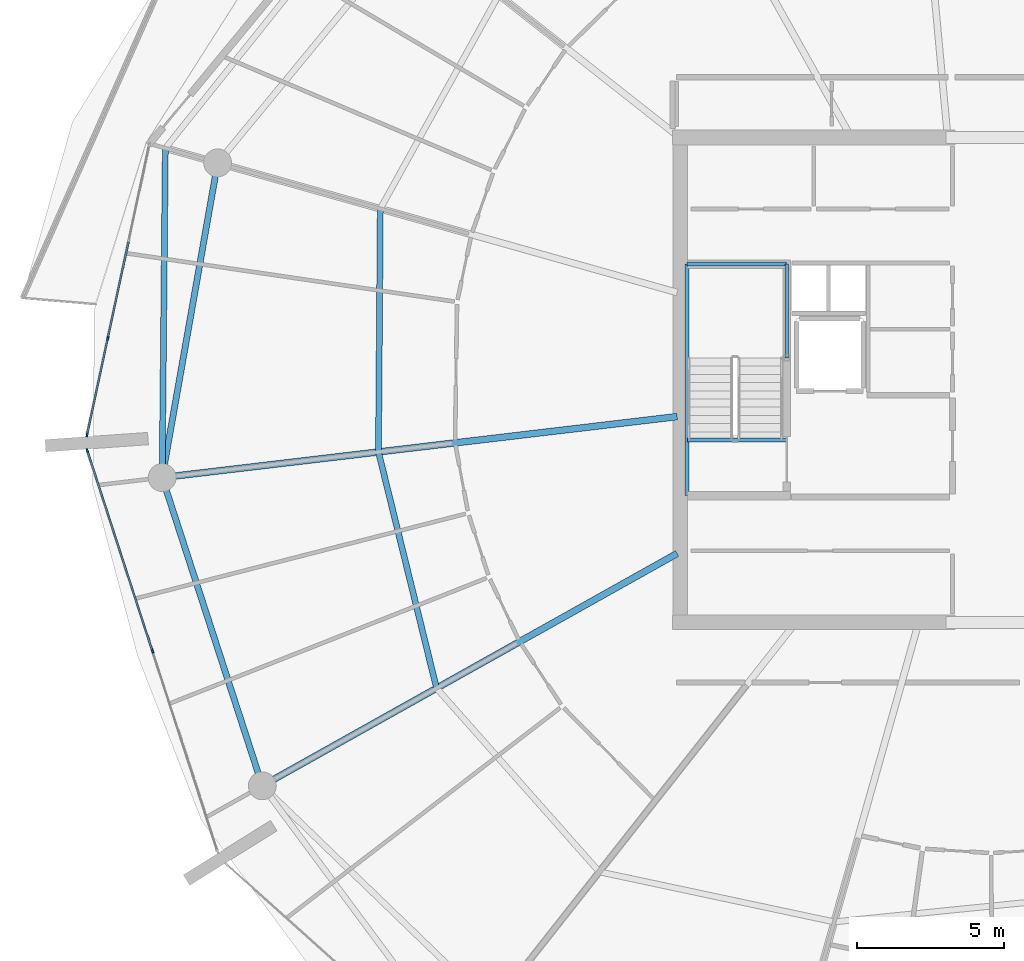
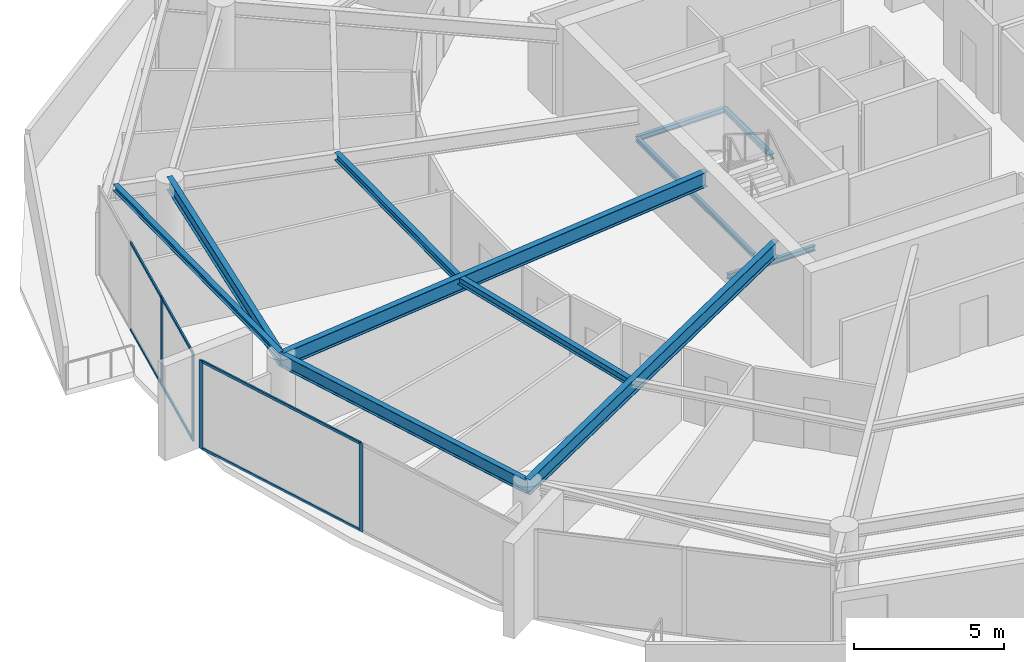
# One storey, part 8 of 30: 11 beams, 10 members, 2 elements without a shape of their own.
"""IFC4 building model written with IfcOpenShell, lengths in metres."""

from ifc_helpers import new_model, si_unit, direction, frame, origin, origin_2d, place, context, subcontext, project, spatial, rectangle, i_section, extrude, material, layer, layer_set, material_profile, profile_set, type_object, element, aggregate, save


model = new_model("IFC4")

# Units and contexts
model_context = context("Model", 3, precision=1e-05, world=origin(), true_north=direction((0.0, 1.0)))
body_context = subcontext(model_context, "Body", "Model", "MODEL_VIEW")
ifc_project = project(units=[si_unit("LENGTHUNIT", "METRE"), si_unit("AREAUNIT", "SQUARE_METRE"), si_unit("VOLUMEUNIT", "CUBIC_METRE"), si_unit("PLANEANGLEUNIT", "RADIAN"), si_unit("MASSUNIT", "GRAM", prefix="KILO")], contexts=[model_context])

# Site, building, storey
site_placement = place(None, origin())
site = spatial("IfcSite", under=ifc_project, at=site_placement, CompositionType="ELEMENT")
building_placement = place(site_placement, origin())
building = spatial("IfcBuilding", under=site, at=building_placement, Name="Kazma Halo Residences", CompositionType="ELEMENT")
storey_placement = place(building_placement, frame((0.0, 0.0, 294.449951171875)))
storey = spatial("IfcBuildingStorey", under=building, at=storey_placement, Name="L74", CompositionType="ELEMENT", Elevation=294.449951171875)

# Beams
ifc_material_1 = material(Name="Steel S355", Category="steel")
ifc_material_profile_1 = material_profile(ifc_material_1, i_section(OverallWidth=0.201904296875, OverallDepth=0.2470703125, WebThickness=0.00732421875, FlangeThickness=0.010986328125, FilletRadius=0.011962890625, at=origin_2d()), Name="W250x49.1")
ifc_profile_set_1 = profile_set([ifc_material_profile_1], Name="Steel S355")
beam_type_1 = type_object("IfcBeamType", Name="BM-BAL-CANT", PredefinedType="BEAM", material=ifc_profile_set_1)
beam_1_placement = place(storey_placement, frame((20.028564453125, 49.888916015625, 3.466552734375), z_axis=(-0.009645503464, -0.999953481049, 0.0), x_axis=(0.999953481049, -0.009645503464, 0.0)))
element("IfcBeam", 1, at=beam_1_placement, inside=storey, type_object=beam_type_1, Name="L74 wave-balcony tie beam 07", PredefinedType="BEAM", context=body_context, shape_type="SweptSolid", body=[
    extrude(i_section(OverallWidth=0.201904296875, OverallDepth=0.2470703125, WebThickness=0.00732421875, FlangeThickness=0.010986328125, FilletRadius=0.011962890625, at=origin_2d()), origin(), (0.0, 0.0, 1.0), 11.212890625),
])
ifc_material_profile_2 = material_profile(ifc_material_1, i_section(OverallWidth=0.22802734375, OverallDepth=0.60791015625, WebThickness=0.01123046875, FlangeThickness=0.017333984375, FilletRadius=0.01806640625, at=origin_2d()), Name="W610x113")
ifc_profile_set_2 = profile_set([ifc_material_profile_2], Name="Steel S355")
beam_type_2 = type_object("IfcBeamType", Name="BM-RAD-W610", PredefinedType="BEAM", material=ifc_profile_set_2)
beam_2_placement = place(storey_placement, frame((37.449951171875, 40.751220703125, 3.2861328125), z_axis=(-0.993068793341, -0.11753455531, 0.0), x_axis=(0.11753455531, -0.993068793341, 0.0)))
element("IfcBeam", 2, at=beam_2_placement, inside=storey, type_object=beam_type_2, Name="L74 radial floor beam 08", PredefinedType="BEAM", context=body_context, shape_type="SweptSolid", body=[
    extrude(i_section(OverallWidth=0.22802734375, OverallDepth=0.60791015625, WebThickness=0.01123046875, FlangeThickness=0.017333984375, FilletRadius=0.01806640625, at=origin_2d()), origin(), (0.0, 0.0, 1.0), 17.65185546875),
])
beam_3_placement = place(storey_placement, frame((37.449951171875, 36.091796875, 3.2861328125), z_axis=(-0.872497784052, -0.488618068459, 0.0), x_axis=(0.488618068459, -0.872497784052, 0.0)))
element("IfcBeam", 3, at=beam_3_placement, inside=storey, type_object=beam_type_2, Name="L74 radial floor beam 09", PredefinedType="BEAM", context=body_context, shape_type="SweptSolid", body=[
    extrude(i_section(OverallWidth=0.22802734375, OverallDepth=0.60791015625, WebThickness=0.01123046875, FlangeThickness=0.017333984375, FilletRadius=0.01806640625, at=origin_2d()), origin(), (0.0, 0.0, 1.0), 16.183837890625),
])
ifc_material_profile_3 = material_profile(ifc_material_1, i_section(OverallWidth=0.202880859375, OverallDepth=0.302978515625, WebThickness=0.007568359375, FlangeThickness=0.01318359375, FilletRadius=0.013916015625, at=origin_2d()), Name="W310x60")
ifc_profile_set_3 = profile_set([ifc_material_profile_3], Name="Steel S355")
beam_type_3 = type_object("IfcBeamType", Name="BM-SEC-W310A", PredefinedType="JOIST", material=ifc_profile_set_3)
beam_4_placement = place(storey_placement, frame((27.345458984375, 47.8251953125, 3.4384765625), z_axis=(-0.007550738936, -0.999971492764, 0.0), x_axis=(0.999971492764, -0.007550738936, 0.0)))
element("IfcBeam", 4, at=beam_4_placement, inside=storey, type_object=beam_type_3, Name="L74 circumferential floor joist 07", PredefinedType="JOIST", context=body_context, shape_type="SweptSolid", body=[
    extrude(i_section(OverallWidth=0.202880859375, OverallDepth=0.302978515625, WebThickness=0.007568359375, FlangeThickness=0.01318359375, FilletRadius=0.013916015625, at=origin_2d()), origin(), (0.0, 0.0, 1.0), 8.27734375),
])
beam_5_placement = place(storey_placement, frame((27.282958984375, 39.548095703125, 3.4384765625), z_axis=(0.238732984375, -0.971085249693, 0.0), x_axis=(0.971085249693, 0.238732984375, 0.0)))
element("IfcBeam", 5, at=beam_5_placement, inside=storey, type_object=beam_type_3, Name="L74 circumferential floor joist 08", PredefinedType="JOIST", context=body_context, shape_type="SweptSolid", body=[
    extrude(i_section(OverallWidth=0.202880859375, OverallDepth=0.302978515625, WebThickness=0.007568359375, FlangeThickness=0.01318359375, FilletRadius=0.013916015625, at=origin_2d()), origin(), (0.0, 0.0, 1.0), 8.282470703125),
])
ifc_material_profile_4 = material_profile(ifc_material_1, i_section(OverallWidth=0.208984375, OverallDepth=0.532958984375, WebThickness=0.01025390625, FlangeThickness=0.015625, FilletRadius=0.01611328125, at=origin_2d()), Name="W530x92")
ifc_profile_set_4 = profile_set([ifc_material_profile_4], Name="Steel S355")
beam_type_4 = type_object("IfcBeamType", Name="BM-SPN-W530", PredefinedType="BEAM", material=ifc_profile_set_4)
beam_6_placement = place(storey_placement, frame((21.80908203125, 49.38671875, 3.323486328125), z_axis=(-0.173663672311, -0.984805020763, 0.0), x_axis=(0.984805020763, -0.173663672311, 0.0)))
element("IfcBeam", 6, at=beam_6_placement, inside=storey, type_object=beam_type_4, Name="L74 perimeter ring beam 07", PredefinedType="BEAM", context=body_context, shape_type="SweptSolid", body=[
    extrude(i_section(OverallWidth=0.208984375, OverallDepth=0.532958984375, WebThickness=0.01025390625, FlangeThickness=0.015625, FilletRadius=0.01611328125, at=origin_2d()), origin(), (0.0, 0.0, 1.0), 10.87548828125),
])
beam_7_placement = place(storey_placement, frame((19.92041015625, 38.676513671875, 3.323486328125), z_axis=(0.309015517474, -0.951056996168, 0.0), x_axis=(0.951056996168, 0.309015517474, 0.0)))
element("IfcBeam", 7, at=beam_7_placement, inside=storey, type_object=beam_type_4, Name="L74 perimeter ring beam 08", PredefinedType="BEAM", context=body_context, shape_type="SweptSolid", body=[
    extrude(i_section(OverallWidth=0.208984375, OverallDepth=0.532958984375, WebThickness=0.01025390625, FlangeThickness=0.015625, FilletRadius=0.01611328125, at=origin_2d()), origin(), (0.0, 0.0, 1.0), 11.032470703125),
])
ifc_material_profile_5 = material_profile(ifc_material_1, i_section(OverallWidth=0.133056640625, OverallDepth=0.20703125, WebThickness=0.005859375, FlangeThickness=0.00830078125, FilletRadius=0.010009765625, at=origin_2d()), Name="W200x26.6")
ifc_profile_set_5 = profile_set([ifc_material_profile_5], Name="Steel S355")
beam_type_5 = type_object("IfcBeamType", Name="BM-TRIM-W200", PredefinedType="BEAM", material=ifc_profile_set_5)
beam_8_placement = place(storey_placement, frame((37.800048828125, 39.949951171875, -0.369873046875), z_axis=(1.0, 0.0, 0.0), x_axis=(0.0, 1.0, 0.0)))
element("IfcBeam", 8, at=beam_8_placement, inside=storey, type_object=beam_type_5, Name="L74 ST-01 floor landing support beam", PredefinedType="BEAM", context=body_context, shape_type="SweptSolid", body=[
    extrude(i_section(OverallWidth=0.133056640625, OverallDepth=0.20703125, WebThickness=0.005859375, FlangeThickness=0.00830078125, FilletRadius=0.010009765625, at=origin_2d()), origin(), (0.0, 0.0, 1.0), 3.3798828125),
])
beam_9_placement = place(storey_placement, frame((37.780029296875, 38.06005859375, 1.6201171875), z_axis=(0.0, 1.0, 0.0), x_axis=(-1.0, 0.0, 0.0)))
element("IfcBeam", 9, at=beam_9_placement, inside=storey, type_object=beam_type_5, Name="L74 ST-01 landing west wall ledger", PredefinedType="BEAM", context=body_context, shape_type="SweptSolid", body=[
    extrude(i_section(OverallWidth=0.133056640625, OverallDepth=0.20703125, WebThickness=0.005859375, FlangeThickness=0.00830078125, FilletRadius=0.010009765625, at=origin_2d()), origin(), (0.0, 0.0, 1.0), 7.8798828125),
])
beam_10_placement = place(storey_placement, frame((41.179931640625, 42.75, 1.6201171875), z_axis=(0.0, 1.0, 0.0), x_axis=(-1.0, 0.0, 0.0)))
element("IfcBeam", 10, at=beam_10_placement, inside=storey, type_object=beam_type_5, Name="L74 ST-01 landing east wall ledger", PredefinedType="BEAM", context=body_context, shape_type="SweptSolid", body=[
    extrude(i_section(OverallWidth=0.133056640625, OverallDepth=0.20703125, WebThickness=0.005859375, FlangeThickness=0.00830078125, FilletRadius=0.010009765625, at=origin_2d()), origin(), (0.0, 0.0, 1.0), 3.18994140625),
])
beam_11_placement = place(storey_placement, frame((37.780029296875, 45.93994140625, 1.6201171875), z_axis=(1.0, 0.0, 0.0), x_axis=(0.0, 1.0, 0.0)))
element("IfcBeam", 11, at=beam_11_placement, inside=storey, type_object=beam_type_5, Name="L74 ST-01 landing end wall ledger", PredefinedType="BEAM", context=body_context, shape_type="SweptSolid", body=[
    extrude(i_section(OverallWidth=0.133056640625, OverallDepth=0.20703125, WebThickness=0.005859375, FlangeThickness=0.00830078125, FilletRadius=0.010009765625, at=origin_2d()), origin(), (0.0, 0.0, 1.0), 3.39990234375),
])

# Curtain wall, members
ifc_material_2 = material(Name="Aluminium AW-6063 T6 and Triple-Silver Low-E Glass", Category="aluminium")
ifc_layer = layer(ifc_material_2, 0.139892578125)
ifc_layer_set = layer_set([ifc_layer], Name="Aluminium AW-6063 T6 and Triple-Silver Low-E Glass")
curtain_wall_type = type_object("IfcCurtainWallType", Name="CW-SYS-5", PredefinedType="NOTDEFINED", material=ifc_layer_set)
curtain_wall_1_placement = place(storey_placement, origin())
curtain_wall_1 = element("IfcCurtainWall", 12, at=curtain_wall_1_placement, inside=storey, type_object=curtain_wall_type, Name="L74 unitised curtain wall B07", PredefinedType="NOTDEFINED")
ifc_material_3 = material(Name="Aluminium AW-6063 T6", Category="aluminium")
ifc_material_profile_6 = material_profile(ifc_material_3, rectangle(XDim=0.06005859375, YDim=0.139892578125, at=origin_2d()), Name="CWM-60x140")
ifc_profile_set_6 = profile_set([ifc_material_profile_6], Name="Aluminium AW-6063 T6")
member_type_1 = type_object("IfcMemberType", Name="CW-SYS-5-MUL", PredefinedType="MULLION", material=ifc_profile_set_6)
member_1_placement = place(storey_placement, frame((18.0703125, 43.412841796875, 0.0), z_axis=(0.0, 0.0, 1.0), x_axis=(0.97777491373, -0.209657382603, 0.0)))
member_1 = element("IfcMember", 13, at=member_1_placement, type_object=member_type_1, Name="CWS-5 mullion 3", PredefinedType="MULLION", context=body_context, shape_type="SweptSolid", body=[
    extrude(rectangle(XDim=0.06005859375, YDim=0.139892578125, at=origin_2d()), origin(), (0.0, 0.0, 1.0), 3.590087890625),
])
member_2_placement = place(storey_placement, frame((17.3662109375, 40.12841796875, 0.0), z_axis=(0.0, 0.0, 1.0), x_axis=(0.97777491373, -0.209657382603, 0.0)))
member_2 = element("IfcMember", 14, at=member_2_placement, type_object=member_type_1, Name="CWS-5 mullion 4", PredefinedType="MULLION", context=body_context, shape_type="SweptSolid", body=[
    extrude(rectangle(XDim=0.06005859375, YDim=0.139892578125, at=origin_2d()), origin(), (0.0, 0.0, 1.0), 3.590087890625),
])

curtain_wall_2_placement = place(storey_placement, origin())
curtain_wall_2 = element("IfcCurtainWall", 15, at=curtain_wall_2_placement, inside=storey, type_object=curtain_wall_type, Name="L74 unitised curtain wall B08", PredefinedType="NOTDEFINED")
member_3_placement = place(storey_placement, frame((17.377197265625, 39.587646484375, 0.0), z_axis=(0.0, 0.0, 1.0), x_axis=(0.951058464359, 0.309010998786, 0.0)))
member_3 = element("IfcMember", 16, at=member_3_placement, type_object=member_type_1, Name="CWS-5 mullion 1", PredefinedType="MULLION", context=body_context, shape_type="SweptSolid", body=[
    extrude(rectangle(XDim=0.06005859375, YDim=0.139892578125, at=origin_2d()), origin(), (0.0, 0.0, 1.0), 3.590087890625),
])
member_4_placement = place(storey_placement, frame((19.59228515625, 32.769775390625, 0.0), z_axis=(0.0, 0.0, 1.0), x_axis=(0.951058464359, 0.309010998786, 0.0)))
member_4 = element("IfcMember", 17, at=member_4_placement, type_object=member_type_1, Name="CWS-5 mullion 2", PredefinedType="MULLION", context=body_context, shape_type="SweptSolid", body=[
    extrude(rectangle(XDim=0.06005859375, YDim=0.139892578125, at=origin_2d()), origin(), (0.0, 0.0, 1.0), 3.590087890625),
])

# Member
ifc_material_profile_7 = material_profile(ifc_material_3, rectangle(XDim=0.06005859375, YDim=0.10498046875, at=origin_2d()), Name="CWT-60x105")
ifc_profile_set_7 = profile_set([ifc_material_profile_7], Name="Aluminium AW-6063 T6")
member_type_2 = type_object("IfcMemberType", Name="CW-SYS-5-TRN", PredefinedType="USERDEFINED", material=ifc_profile_set_7)
member_5_placement = place(storey_placement, frame((18.774658203125, 46.697265625, 0.030029296875), z_axis=(-0.209664309019, -0.977773428522, 0.0), x_axis=(0.977773428522, -0.209664309019, 0.0)))
member_5 = element("IfcMember", 18, at=member_5_placement, type_object=member_type_2, Name="CWS-5 transom 2.1", ObjectType="TRANSOM", PredefinedType="USERDEFINED", context=body_context, shape_type="SweptSolid", body=[
    extrude(rectangle(XDim=0.06005859375, YDim=0.10498046875, at=origin_2d()), origin(), (0.0, 0.0, 1.0), 3.3291015625),
])

member_6_placement = place(storey_placement, frame((18.774658203125, 46.697265625, 3.56005859375), z_axis=(-0.209664309019, -0.977773428522, 0.0), x_axis=(0.977773428522, -0.209664309019, 0.0)))
member_6 = element("IfcMember", 19, at=member_6_placement, type_object=member_type_2, Name="CWS-5 transom 2.2", ObjectType="TRANSOM", PredefinedType="USERDEFINED", context=body_context, shape_type="SweptSolid", body=[
    extrude(rectangle(XDim=0.06005859375, YDim=0.10498046875, at=origin_2d()), origin(), (0.0, 0.0, 1.0), 3.3291015625),
])

member_7_placement = place(storey_placement, frame((18.064208984375, 43.383544921875, 0.030029296875), z_axis=(-0.209645323239, -0.977777499457, 0.0), x_axis=(0.977777499457, -0.209645323239, 0.0)))
member_7 = element("IfcMember", 20, at=member_7_placement, type_object=member_type_2, Name="CWS-5 transom 3.1", ObjectType="TRANSOM", PredefinedType="USERDEFINED", context=body_context, shape_type="SweptSolid", body=[
    extrude(rectangle(XDim=0.06005859375, YDim=0.10498046875, at=origin_2d()), origin(), (0.0, 0.0, 1.0), 3.299072265625),
])

member_8_placement = place(storey_placement, frame((18.064208984375, 43.383544921875, 3.56005859375), z_axis=(-0.209645323239, -0.977777499457, 0.0), x_axis=(0.977777499457, -0.209645323239, 0.0)))
member_8 = element("IfcMember", 21, at=member_8_placement, type_object=member_type_2, Name="CWS-5 transom 3.2", ObjectType="TRANSOM", PredefinedType="USERDEFINED", context=body_context, shape_type="SweptSolid", body=[
    extrude(rectangle(XDim=0.06005859375, YDim=0.10498046875, at=origin_2d()), origin(), (0.0, 0.0, 1.0), 3.299072265625),
])

aggregate(curtain_wall_1, [member_1, member_2, member_5, member_6, member_7, member_8])

member_9_placement = place(storey_placement, frame((17.386474609375, 39.55908203125, 0.030029296875), z_axis=(0.308995987448, -0.951063341603, 0.0), x_axis=(0.951063341603, 0.308995987448, 0.0)))
member_9 = element("IfcMember", 22, at=member_9_placement, type_object=member_type_2, Name="CWS-5 transom 1.1", ObjectType="TRANSOM", PredefinedType="USERDEFINED", context=body_context, shape_type="SweptSolid", body=[
    extrude(rectangle(XDim=0.06005859375, YDim=0.10498046875, at=origin_2d()), origin(), (0.0, 0.0, 1.0), 7.108642578125),
])

member_10_placement = place(storey_placement, frame((17.386474609375, 39.55908203125, 3.56005859375), z_axis=(0.308995987448, -0.951063341603, 0.0), x_axis=(0.951063341603, 0.308995987448, 0.0)))
member_10 = element("IfcMember", 23, at=member_10_placement, type_object=member_type_2, Name="CWS-5 transom 1.2", ObjectType="TRANSOM", PredefinedType="USERDEFINED", context=body_context, shape_type="SweptSolid", body=[
    extrude(rectangle(XDim=0.06005859375, YDim=0.10498046875, at=origin_2d()), origin(), (0.0, 0.0, 1.0), 7.108642578125),
])

aggregate(curtain_wall_2, [member_3, member_4, member_9, member_10])

save(model, "model.ifc")
